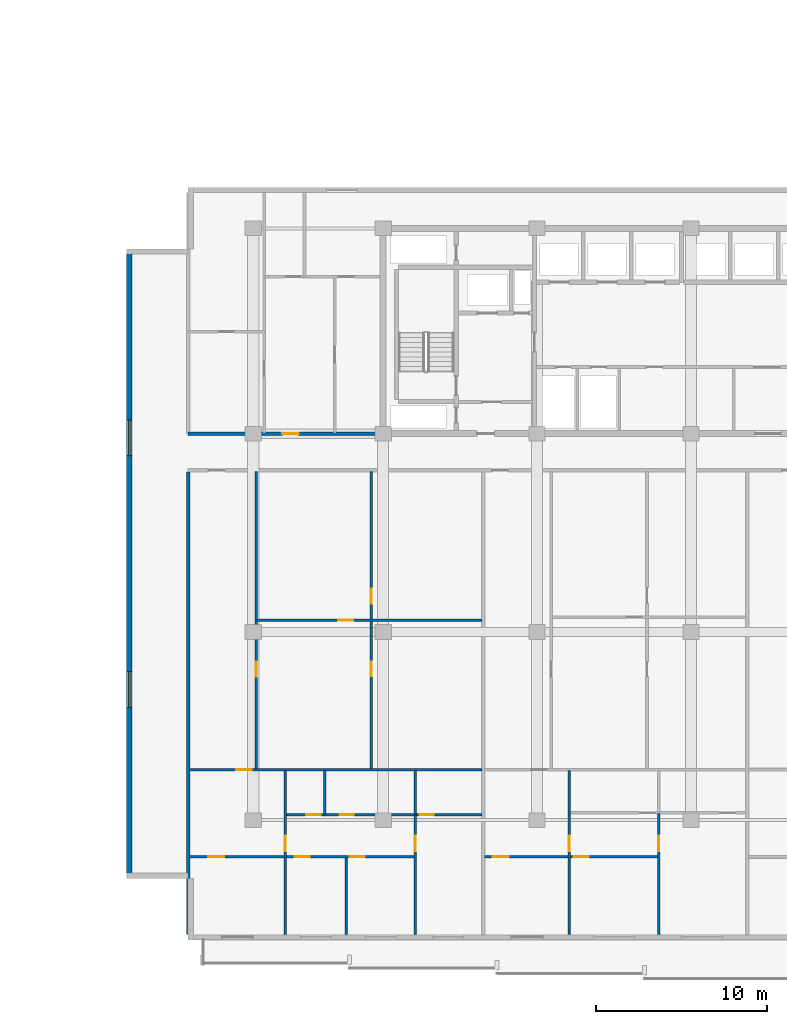
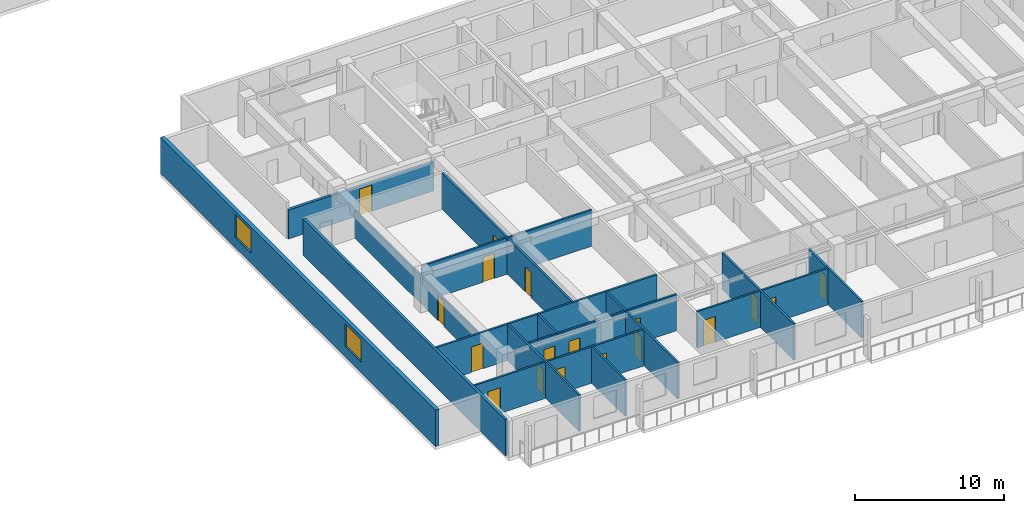
# One storey, part 4 of 24: 18 doors, 17 walls, 2 windows, 20 openings.
"""IFC4 building model written with IfcOpenShell, lengths in metres."""

from ifc_helpers import new_model, si_unit, direction, frame, frame_2d, origin, place, context, subcontext, project, spatial, rectangle, extrude, material, layer, layer_set, type_object, element, fill, save


model = new_model("IFC4")

# Units and contexts
model_context = context("Model", 3, precision=1e-05, world=origin(), true_north=direction((0.0, 1.0)))
body_context = subcontext(model_context, "Body", "Model", "MODEL_VIEW")
ifc_project = project(units=[si_unit("LENGTHUNIT", "METRE"), si_unit("AREAUNIT", "SQUARE_METRE"), si_unit("VOLUMEUNIT", "CUBIC_METRE"), si_unit("PLANEANGLEUNIT", "RADIAN"), si_unit("MASSUNIT", "GRAM", prefix="KILO")], contexts=[model_context])

# Site, building, storey
site_placement = place(None, origin())
site = spatial("IfcSite", under=ifc_project, at=site_placement, CompositionType="ELEMENT")
building_placement = place(site_placement, origin())
building = spatial("IfcBuilding", under=site, at=building_placement, Name="Korimba Cascade Residences", CompositionType="ELEMENT")
storey_placement = place(building_placement, frame((0.0, 0.0, 43.5)))
storey = spatial("IfcBuildingStorey", under=building, at=storey_placement, Name="L11", CompositionType="ELEMENT", Elevation=43.5)

# Wall, openings, windows
ifc_material_1 = material(Name="Precast concrete C40/50", Category="concrete")
ifc_layer_1 = layer(ifc_material_1, 0.300048828125)
ifc_layer_set_1 = layer_set([ifc_layer_1], Name="Precast concrete C40/50")
wall_type_1 = type_object("IfcWallType", Name="EW-STONE-300", PredefinedType="STANDARD", material=ifc_layer_set_1)
wall_1_placement = place(storey_placement, frame((67.25, 29.199951171875, 0.0), z_axis=(0.0, 0.0, 1.0), x_axis=(0.0, -1.0, 0.0)))
wall_1 = element("IfcWall", 1, at=wall_1_placement, inside=storey, type_object=wall_type_1, Name="L11 T2 Perimeter Stone Wall E09", PredefinedType="STANDARD", context=body_context, shape_type="SweptSolid", body=[
    extrude(rectangle(XDim=36.800048828125, YDim=0.300048828125, at=frame_2d((18.39990234375, 0.0))), origin(), (0.0, 0.0, 1.0), 2.969970703125),
])
opening_1_placement = place(wall_1_placement, frame((9.989990234375, 0.0, 0.85009765625)))
opening_1 = element("IfcOpeningElement", 2, at=opening_1_placement, cuts=wall_1, Name="Opening W-03", PredefinedType="OPENING", context=body_context, shape_type="SweptSolid", body=[
    extrude(rectangle(XDim=2.10009765625, YDim=1.85009765625, at=frame_2d((1.050048828125, 0.925048828125))), frame((0.0, 0.16015625, 0.0), z_axis=(0.0, -1.0, 0.0), x_axis=(1.0, 0.0, 0.0)), (0.0, 0.0, 1.0), 0.320068359375),
])
opening_2_placement = place(wall_1_placement, frame((24.7099609375, 0.0, 0.85009765625)))
opening_2 = element("IfcOpeningElement", 3, at=opening_2_placement, cuts=wall_1, Name="Opening W-03", PredefinedType="OPENING", context=body_context, shape_type="SweptSolid", body=[
    extrude(rectangle(XDim=2.10009765625, YDim=1.85009765625, at=frame_2d((1.050048828125, 0.925048828125))), frame((0.0, 0.16015625, 0.0), z_axis=(0.0, -1.0, 0.0), x_axis=(1.0, 0.0, 0.0)), (0.0, 0.0, 1.0), 0.320068359375),
])
ifc_material_2 = material(Name="Double-Glazed Aluminium Window", Category="aluminium")
window_type = type_object("IfcWindowType", Name="WIN-CRN-2100", PartitioningType="DOUBLE_PANEL_HORIZONTAL", PredefinedType="WINDOW", material=ifc_material_2)
window_1_placement = place(opening_1_placement, origin())
window_1 = element("IfcWindow", 4, at=window_1_placement, inside=storey, type_object=window_type, Name="L11 T2 End View Window 9.1", OverallHeight=1.85009765625, OverallWidth=2.10009765625, PartitioningType="DOUBLE_PANEL_HORIZONTAL", PredefinedType="WINDOW", context=body_context, shape_type="SweptSolid", body=[
    extrude(rectangle(XDim=2.10009765625, YDim=1.85009765625, at=frame_2d((1.050048828125, 0.925048828125))), frame((0.0, 0.030029296875, 0.0), z_axis=(0.0, -1.0, 0.0), x_axis=(1.0, 0.0, 0.0)), (0.0, 0.0, 1.0), 0.06005859375),
])
fill(opening_1, window_1)
window_2_placement = place(opening_2_placement, origin())
window_2 = element("IfcWindow", 5, at=window_2_placement, inside=storey, type_object=window_type, Name="L11 T2 End View Window 9.2", OverallHeight=1.85009765625, OverallWidth=2.10009765625, PartitioningType="DOUBLE_PANEL_HORIZONTAL", PredefinedType="WINDOW", context=body_context, shape_type="SweptSolid", body=[
    extrude(rectangle(XDim=2.10009765625, YDim=1.85009765625, at=frame_2d((1.050048828125, 0.925048828125))), frame((0.0, 0.030029296875, 0.0), z_axis=(0.0, -1.0, 0.0), x_axis=(1.0, 0.0, 0.0)), (0.0, 0.0, 1.0), 0.06005859375),
])
fill(opening_2, window_2)

# Wall, opening, door
ifc_layer_2 = layer(ifc_material_1, 0.199951171875)
ifc_layer_set_2 = layer_set([ifc_layer_2], Name="Precast concrete C40/50")
wall_type_2 = type_object("IfcWallType", Name="WAL-IT-200", PredefinedType="PARTITIONING", material=ifc_layer_set_2)
wall_2_placement = place(storey_placement, frame((70.699951171875, 18.39990234375, 0.0), z_axis=(0.0, 0.0, 1.0), x_axis=(1.0, 0.0, 0.0)))
wall_2 = element("IfcWall", 6, at=wall_2_placement, inside=storey, type_object=wall_type_2, Name="L11 Partition Wall WAL-L11-T2-FW-S", PredefinedType="PARTITIONING", context=body_context, shape_type="SweptSolid", body=[
    extrude(rectangle(XDim=11.25, YDim=0.199951171875, at=frame_2d((5.625, 0.0))), origin(), (0.0, 0.0, 1.0), 2.3701171875),
])
opening_3_placement = place(wall_2_placement, frame((5.50634765625, 0.0, 0.0)))
opening_3 = element("IfcOpeningElement", 7, at=opening_3_placement, cuts=wall_2, Name="Opening D-UN1", PredefinedType="OPENING", context=body_context, shape_type="SweptSolid", body=[
    extrude(rectangle(XDim=0.949951171875, YDim=2.14990234375, at=frame_2d((0.47509765625, 1.074951171875))), frame((0.0, 0.10986328125, 0.0), z_axis=(0.0, -1.0, 0.0), x_axis=(1.0, 0.0, 0.0)), (0.0, 0.0, 1.0), 0.219970703125),
])
ifc_material_3 = material(Name="Fire-Rated Hardwood Apartment Entrance Door", Category="wood")
door_type_1 = type_object("IfcDoorType", Name="DR-FD60-950", OperationType="NOTDEFINED", PredefinedType="DOOR", material=ifc_material_3)
door_1_placement = place(opening_3_placement, origin())
door_1 = element("IfcDoor", 8, at=door_1_placement, inside=storey, type_object=door_type_1, Name="L11-T2-FW Entrance Door", OperationType="SINGLE_SWING_LEFT", OverallHeight=2.14990234375, OverallWidth=0.949951171875, PredefinedType="DOOR", context=body_context, shape_type="SweptSolid", body=[
    extrude(rectangle(XDim=0.949951171875, YDim=2.14990234375, at=frame_2d((0.47509765625, 1.074951171875))), frame((0.0, 0.02490234375, 0.0), z_axis=(0.0, -1.0, 0.0), x_axis=(1.0, 0.0, 0.0)), (0.0, 0.0, 1.0), 0.050048828125),
])
fill(opening_3, door_1)

# Wall
wall_3_placement = place(storey_placement, frame((70.699951171875, -10.89990234375, 0.0), z_axis=(0.0, 0.0, 1.0), x_axis=(0.0, 1.0, 0.0)))
element("IfcWall", 9, at=wall_3_placement, inside=storey, type_object=wall_type_2, Name="L11 Partition Wall WAL-L11-T2-BNDWL", PredefinedType="PARTITIONING", context=body_context, shape_type="SweptSolid", body=[
    extrude(rectangle(XDim=27.06982421875, YDim=0.199951171875, at=frame_2d((13.534912109375, 0.0))), origin(), (0.0, 0.0, 1.0), 2.969970703125),
])

# Wall, openings, doors
ifc_material_4 = material(Name="Insulated Acoustic Stud Partition", Category="gypsum")
ifc_layer_3 = layer(ifc_material_4, 0.14990234375)
ifc_layer_set_3 = layer_set([ifc_layer_3], Name="Insulated Acoustic Stud Partition")
wall_type_3 = type_object("IfcWallType", Name="WAL-PART-150", PredefinedType="PARTITIONING", material=ifc_layer_set_3)
wall_4_placement = place(storey_placement, frame((81.4033203125, -1.2099609375, 0.0), z_axis=(0.0, 0.0, 1.0), x_axis=(0.0, 1.0, 0.0)))
wall_4 = element("IfcWall", 10, at=wall_4_placement, inside=storey, type_object=wall_type_3, Name="L11 Partition Wall WAL-L11-T2-U01-FMV", PredefinedType="PARTITIONING", context=body_context, shape_type="SweptSolid", body=[
    extrude(rectangle(XDim=17.39990234375, YDim=0.14990234375, at=frame_2d((8.699951171875, 0.0))), origin(), (0.0, 0.0, 1.0), 2.969970703125),
])
opening_4_placement = place(wall_4_placement, frame((5.431884765625, 0.0, 0.0)))
opening_4 = element("IfcOpeningElement", 11, at=opening_4_placement, cuts=wall_4, Name="Opening D-BT1", PredefinedType="OPENING", context=body_context, shape_type="SweptSolid", body=[
    extrude(rectangle(XDim=0.840087890625, YDim=2.0400390625, at=frame_2d((0.419921875, 1.02001953125))), frame((0.0, 0.0849609375, 0.0), z_axis=(0.0, -1.0, 0.0), x_axis=(1.0, 0.0, 0.0)), (0.0, 0.0, 1.0), 0.169921875),
])
opening_5_placement = place(wall_4_placement, frame((9.672119140625, 0.0, 0.0)))
opening_5 = element("IfcOpeningElement", 12, at=opening_5_placement, cuts=wall_4, Name="Opening D-IN2", PredefinedType="OPENING", context=body_context, shape_type="SweptSolid", body=[
    extrude(rectangle(XDim=0.8798828125, YDim=2.06005859375, at=frame_2d((0.43994140625, 1.030029296875))), frame((0.0, 0.0849609375, 0.0), z_axis=(0.0, -1.0, 0.0), x_axis=(1.0, 0.0, 0.0)), (0.0, 0.0, 1.0), 0.169921875),
])
ifc_material_5 = material(Name="Moisture-Resistant Bathroom Timber Door", Category="wood")
door_type_2 = type_object("IfcDoorType", Name="DR-INT-850", OperationType="NOTDEFINED", PredefinedType="DOOR", material=ifc_material_5)
door_2_placement = place(opening_4_placement, origin())
door_2 = element("IfcDoor", 13, at=door_2_placement, inside=storey, type_object=door_type_2, Name="L11-T2-U01 Wardrobe Door", OperationType="SINGLE_SWING_RIGHT", OverallHeight=2.0400390625, OverallWidth=0.840087890625, PredefinedType="DOOR", context=body_context, shape_type="SweptSolid", body=[
    extrude(rectangle(XDim=0.840087890625, YDim=2.0400390625, at=frame_2d((0.419921875, 1.02001953125))), frame((0.0, 0.02490234375, 0.0), z_axis=(0.0, -1.0, 0.0), x_axis=(1.0, 0.0, 0.0)), (0.0, 0.0, 1.0), 0.050048828125),
])
fill(opening_4, door_2)
ifc_material_6 = material(Name="Acoustic Timber Bedroom Door", Category="wood")
door_type_3 = type_object("IfcDoorType", Name="DR-INT-880", OperationType="NOTDEFINED", PredefinedType="DOOR", material=ifc_material_6)
door_3_placement = place(opening_5_placement, origin())
door_3 = element("IfcDoor", 14, at=door_3_placement, inside=storey, type_object=door_type_3, Name="L11-T2-U01 Music Lounge Door", OperationType="SINGLE_SWING_LEFT", OverallHeight=2.06005859375, OverallWidth=0.8798828125, PredefinedType="DOOR", context=body_context, shape_type="SweptSolid", body=[
    extrude(rectangle(XDim=0.8798828125, YDim=2.06005859375, at=frame_2d((0.43994140625, 1.030029296875))), frame((0.0, 0.02490234375, 0.0), z_axis=(0.0, -1.0, 0.0), x_axis=(1.0, 0.0, 0.0)), (0.0, 0.0, 1.0), 0.050048828125),
])
fill(opening_5, door_3)

# Wall, opening, door
wall_5_placement = place(storey_placement, frame((74.72998046875, 7.489990234375, 0.0), z_axis=(0.0, 0.0, 1.0), x_axis=(1.0, 0.0, 0.0)))
wall_5 = element("IfcWall", 15, at=wall_5_placement, inside=storey, type_object=wall_type_3, Name="L11 Partition Wall WAL-L11-T2-U01-FMH", PredefinedType="PARTITIONING", context=body_context, shape_type="SweptSolid", body=[
    extrude(rectangle(XDim=13.146728515625, YDim=0.14990234375, at=frame_2d((6.5732421875, 0.0))), origin(), (0.0, 0.0, 1.0), 2.969970703125),
])
opening_6_placement = place(wall_5_placement, frame((4.73779296875, 0.0, 0.0)))
opening_6 = element("IfcOpeningElement", 16, at=opening_6_placement, cuts=wall_5, Name="Opening D-IN2", PredefinedType="OPENING", context=body_context, shape_type="SweptSolid", body=[
    extrude(rectangle(XDim=0.8798828125, YDim=2.06005859375, at=frame_2d((0.43994140625, 1.030029296875))), frame((0.0, 0.0849609375, 0.0), z_axis=(0.0, -1.0, 0.0), x_axis=(1.0, 0.0, 0.0)), (0.0, 0.0, 1.0), 0.169921875),
])
door_4_placement = place(opening_6_placement, origin())
door_4 = element("IfcDoor", 17, at=door_4_placement, inside=storey, type_object=door_type_3, Name="L11-T2-U01 Library Salon Door", OperationType="SINGLE_SWING_RIGHT", OverallHeight=2.06005859375, OverallWidth=0.8798828125, PredefinedType="DOOR", context=body_context, shape_type="SweptSolid", body=[
    extrude(rectangle(XDim=0.8798828125, YDim=2.06005859375, at=frame_2d((0.43994140625, 1.030029296875))), frame((0.0, 0.02490234375, 0.0), z_axis=(0.0, -1.0, 0.0), x_axis=(1.0, 0.0, 0.0)), (0.0, 0.0, 1.0), 0.050048828125),
])
fill(opening_6, door_4)

wall_6_placement = place(storey_placement, frame((74.669921875, -1.2099609375, 0.0), z_axis=(0.0, 0.0, 1.0), x_axis=(0.0, 1.0, 0.0)))
wall_6 = element("IfcWall", 18, at=wall_6_placement, inside=storey, type_object=wall_type_3, Name="L11 Partition Wall WAL-L11-T2-U01-FV", PredefinedType="PARTITIONING", context=body_context, shape_type="SweptSolid", body=[
    extrude(rectangle(XDim=17.39990234375, YDim=0.14990234375, at=frame_2d((8.699951171875, 0.0))), origin(), (0.0, 0.0, 1.0), 2.219970703125),
])
opening_7_placement = place(wall_6_placement, frame((5.404052734375, 0.0, 0.0)))
opening_7 = element("IfcOpeningElement", 19, at=opening_7_placement, cuts=wall_6, Name="Opening D-IN2", PredefinedType="OPENING", context=body_context, shape_type="SweptSolid", body=[
    extrude(rectangle(XDim=0.8798828125, YDim=2.06005859375, at=frame_2d((0.43994140625, 1.030029296875))), frame((0.0, 0.0849609375, 0.0), z_axis=(0.0, -1.0, 0.0), x_axis=(1.0, 0.0, 0.0)), (0.0, 0.0, 1.0), 0.169921875),
])
door_5_placement = place(opening_7_placement, origin())
door_5 = element("IfcDoor", 20, at=door_5_placement, inside=storey, type_object=door_type_3, Name="L11-T2-U01 Media Lounge Door", OperationType="SINGLE_SWING_LEFT", OverallHeight=2.06005859375, OverallWidth=0.8798828125, PredefinedType="DOOR", context=body_context, shape_type="SweptSolid", body=[
    extrude(rectangle(XDim=0.8798828125, YDim=2.06005859375, at=frame_2d((0.43994140625, 1.030029296875))), frame((0.0, 0.02490234375, 0.0), z_axis=(0.0, -1.0, 0.0), x_axis=(1.0, 0.0, 0.0)), (0.0, 0.0, 1.0), 0.050048828125),
])
fill(opening_7, door_5)

# Walls
wall_7_placement = place(storey_placement, frame((78.68994140625, -3.8701171875, 0.0), z_axis=(0.0, 0.0, 1.0), x_axis=(0.0, 1.0, 0.0)))
element("IfcWall", 21, at=wall_7_placement, inside=storey, type_object=wall_type_3, Name="L11 Partition Wall WAL-L11-T2-U01-VDRS", PredefinedType="PARTITIONING", context=body_context, shape_type="SweptSolid", body=[
    extrude(rectangle(XDim=2.580078125, YDim=0.14990234375, at=frame_2d((1.2900390625, 0.0))), origin(), (0.0, 0.0, 1.0), 2.969970703125),
])
wall_8_placement = place(storey_placement, frame((79.929931640625, -10.89990234375, 0.0), z_axis=(0.0, 0.0, 1.0), x_axis=(0.0, 1.0, 0.0)))
element("IfcWall", 22, at=wall_8_placement, inside=storey, type_object=wall_type_3, Name="L11 Partition Wall WAL-L11-T2-U01-VSTD", PredefinedType="PARTITIONING", context=body_context, shape_type="SweptSolid", body=[
    extrude(rectangle(XDim=4.469970703125, YDim=0.14990234375, at=frame_2d((2.23486328125, 0.0))), origin(), (0.0, 0.0, 1.0), 2.969970703125),
])

# Wall, opening, door
wall_9_placement = place(storey_placement, frame((76.3798828125, -10.89990234375, 0.0), z_axis=(0.0, 0.0, 1.0), x_axis=(0.0, 1.0, 0.0)))
wall_9 = element("IfcWall", 23, at=wall_9_placement, inside=storey, type_object=wall_type_3, Name="L11 Partition Wall WAL-L11-T2-U01-V1", PredefinedType="PARTITIONING", context=body_context, shape_type="SweptSolid", body=[
    extrude(rectangle(XDim=9.60986328125, YDim=0.14990234375, at=frame_2d((4.804931640625, 0.0))), origin(), (0.0, 0.0, 1.0), 2.969970703125),
])
opening_8_placement = place(wall_9_placement, frame((4.8701171875, 0.0, 0.0)))
opening_8 = element("IfcOpeningElement", 24, at=opening_8_placement, cuts=wall_9, Name="Opening D-IN1", PredefinedType="OPENING", context=body_context, shape_type="SweptSolid", body=[
    extrude(rectangle(XDim=0.919921875, YDim=2.080078125, at=frame_2d((0.4599609375, 1.0400390625))), frame((0.0, 0.0849609375, 0.0), z_axis=(0.0, -1.0, 0.0), x_axis=(1.0, 0.0, 0.0)), (0.0, 0.0, 1.0), 0.169921875),
])
ifc_material_7 = material(Name="Acoustic Timber Living Door", Category="wood")
door_type_4 = type_object("IfcDoorType", Name="DR-INT-920", OperationType="NOTDEFINED", PredefinedType="DOOR", material=ifc_material_7)
door_6_placement = place(opening_8_placement, origin())
door_6 = element("IfcDoor", 25, at=door_6_placement, inside=storey, type_object=door_type_4, Name="L11-T2-U01 Hallway Door", OperationType="SINGLE_SWING_RIGHT", OverallHeight=2.080078125, OverallWidth=0.919921875, PredefinedType="DOOR", context=body_context, shape_type="SweptSolid", body=[
    extrude(rectangle(XDim=0.919921875, YDim=2.080078125, at=frame_2d((0.4599609375, 1.0400390625))), frame((0.0, 0.02490234375, 0.0), z_axis=(0.0, -1.0, 0.0), x_axis=(1.0, 0.0, 0.0)), (0.0, 0.0, 1.0), 0.050048828125),
])
fill(opening_8, door_6)

# Wall
wall_10_placement = place(storey_placement, frame((83.97998046875, -3.8701171875, 0.0), z_axis=(0.0, 0.0, 1.0), x_axis=(0.0, 1.0, 0.0)))
element("IfcWall", 26, at=wall_10_placement, inside=storey, type_object=wall_type_3, Name="L11 Partition Wall WAL-L11-T2-U01-VBATH", PredefinedType="PARTITIONING", context=body_context, shape_type="SweptSolid", body=[
    extrude(rectangle(XDim=2.580078125, YDim=0.14990234375, at=frame_2d((1.2900390625, 0.0))), origin(), (0.0, 0.0, 1.0), 2.969970703125),
])

# Wall, opening, door
wall_11_placement = place(storey_placement, frame((83.97998046875, -10.89990234375, 0.0), z_axis=(0.0, 0.0, 1.0), x_axis=(0.0, 1.0, 0.0)))
wall_11 = element("IfcWall", 27, at=wall_11_placement, inside=storey, type_object=wall_type_3, Name="L11 Partition Wall WAL-L11-T2-U01-V2FULL", PredefinedType="PARTITIONING", context=body_context, shape_type="SweptSolid", body=[
    extrude(rectangle(XDim=6.989990234375, YDim=0.14990234375, at=frame_2d((3.4951171875, 0.0))), origin(), (0.0, 0.0, 1.0), 2.969970703125),
])
opening_9_placement = place(wall_11_placement, frame((4.8701171875, 0.0, 0.0)))
opening_9 = element("IfcOpeningElement", 28, at=opening_9_placement, cuts=wall_11, Name="Opening D-IN1", PredefinedType="OPENING", context=body_context, shape_type="SweptSolid", body=[
    extrude(rectangle(XDim=0.919921875, YDim=2.080078125, at=frame_2d((0.4599609375, 1.0400390625))), frame((0.0, 0.0849609375, 0.0), z_axis=(0.0, -1.0, 0.0), x_axis=(1.0, 0.0, 0.0)), (0.0, 0.0, 1.0), 0.169921875),
])
door_7_placement = place(opening_9_placement, origin())
door_7 = element("IfcDoor", 29, at=door_7_placement, inside=storey, type_object=door_type_4, Name="L11-T2-U01 Master Bedroom Door", OperationType="SINGLE_SWING_LEFT", OverallHeight=2.080078125, OverallWidth=0.919921875, PredefinedType="DOOR", context=body_context, shape_type="SweptSolid", body=[
    extrude(rectangle(XDim=0.919921875, YDim=2.080078125, at=frame_2d((0.4599609375, 1.0400390625))), frame((0.0, 0.02490234375, 0.0), z_axis=(0.0, -1.0, 0.0), x_axis=(1.0, 0.0, 0.0)), (0.0, 0.0, 1.0), 0.050048828125),
])
fill(opening_9, door_7)

# Wall, openings, doors
wall_12_placement = place(storey_placement, frame((76.419921875, -3.889892578125, 0.0), z_axis=(0.0, 0.0, 1.0), x_axis=(1.0, 0.0, 0.0)))
wall_12 = element("IfcWall", 30, at=wall_12_placement, inside=storey, type_object=wall_type_3, Name="L11 Partition Wall WAL-L11-T2-U01-HWALL", PredefinedType="PARTITIONING", context=body_context, shape_type="SweptSolid", body=[
    extrude(rectangle(XDim=11.456787109375, YDim=0.14990234375, at=frame_2d((5.728515625, 0.0))), origin(), (0.0, 0.0, 1.0), 2.969970703125),
])
opening_10_placement = place(wall_12_placement, frame((1.19091796875, 0.0, 0.0)))
opening_10 = element("IfcOpeningElement", 31, at=opening_10_placement, cuts=wall_12, Name="Opening D-BT1", PredefinedType="OPENING", context=body_context, shape_type="SweptSolid", body=[
    extrude(rectangle(XDim=0.840087890625, YDim=2.0400390625, at=frame_2d((0.419921875, 1.02001953125))), frame((0.0, 0.0849609375, 0.0), z_axis=(0.0, -1.0, 0.0), x_axis=(1.0, 0.0, 0.0)), (0.0, 0.0, 1.0), 0.169921875),
])
opening_11_placement = place(wall_12_placement, frame((3.131591796875, 0.0, 0.0)))
opening_11 = element("IfcOpeningElement", 32, at=opening_11_placement, cuts=wall_12, Name="Opening D-BT1", PredefinedType="OPENING", context=body_context, shape_type="SweptSolid", body=[
    extrude(rectangle(XDim=0.840087890625, YDim=2.0400390625, at=frame_2d((0.419921875, 1.02001953125))), frame((0.0, 0.0849609375, 0.0), z_axis=(0.0, -1.0, 0.0), x_axis=(1.0, 0.0, 0.0)), (0.0, 0.0, 1.0), 0.169921875),
])
opening_12_placement = place(wall_12_placement, frame((7.81005859375, 0.0, 0.0)))
opening_12 = element("IfcOpeningElement", 33, at=opening_12_placement, cuts=wall_12, Name="Opening D-BT1", PredefinedType="OPENING", context=body_context, shape_type="SweptSolid", body=[
    extrude(rectangle(XDim=0.840087890625, YDim=2.0400390625, at=frame_2d((0.419921875, 1.02001953125))), frame((0.0, 0.0849609375, 0.0), z_axis=(0.0, -1.0, 0.0), x_axis=(1.0, 0.0, 0.0)), (0.0, 0.0, 1.0), 0.169921875),
])
door_8_placement = place(opening_10_placement, origin())
door_8 = element("IfcDoor", 34, at=door_8_placement, inside=storey, type_object=door_type_2, Name="L11-T2-U01 Family Bathroom Door", OperationType="SINGLE_SWING_RIGHT", OverallHeight=2.0400390625, OverallWidth=0.840087890625, PredefinedType="DOOR", context=body_context, shape_type="SweptSolid", body=[
    extrude(rectangle(XDim=0.840087890625, YDim=2.0400390625, at=frame_2d((0.419921875, 1.02001953125))), frame((0.0, 0.02490234375, 0.0), z_axis=(0.0, -1.0, 0.0), x_axis=(1.0, 0.0, 0.0)), (0.0, 0.0, 1.0), 0.050048828125),
])
fill(opening_10, door_8)
door_9_placement = place(opening_11_placement, origin())
door_9 = element("IfcDoor", 35, at=door_9_placement, inside=storey, type_object=door_type_2, Name="L11-T2-U01 Dressing Room Door", OperationType="SINGLE_SWING_LEFT", OverallHeight=2.0400390625, OverallWidth=0.840087890625, PredefinedType="DOOR", context=body_context, shape_type="SweptSolid", body=[
    extrude(rectangle(XDim=0.840087890625, YDim=2.0400390625, at=frame_2d((0.419921875, 1.02001953125))), frame((0.0, 0.02490234375, 0.0), z_axis=(0.0, -1.0, 0.0), x_axis=(1.0, 0.0, 0.0)), (0.0, 0.0, 1.0), 0.050048828125),
])
fill(opening_11, door_9)
door_10_placement = place(opening_12_placement, origin())
door_10 = element("IfcDoor", 36, at=door_10_placement, inside=storey, type_object=door_type_2, Name="L11-T2-U01 En-Suite Door", OperationType="SINGLE_SWING_RIGHT", OverallHeight=2.0400390625, OverallWidth=0.840087890625, PredefinedType="DOOR", context=body_context, shape_type="SweptSolid", body=[
    extrude(rectangle(XDim=0.840087890625, YDim=2.0400390625, at=frame_2d((0.419921875, 1.02001953125))), frame((0.0, 0.02490234375, 0.0), z_axis=(0.0, -1.0, 0.0), x_axis=(1.0, 0.0, 0.0)), (0.0, 0.0, 1.0), 0.050048828125),
])
fill(opening_12, door_10)

# Wall, opening, door
wall_13_placement = place(storey_placement, frame((70.780029296875, -1.25, 0.0), z_axis=(0.0, 0.0, 1.0), x_axis=(1.0, 0.0, 0.0)))
wall_13 = element("IfcWall", 37, at=wall_13_placement, inside=storey, type_object=wall_type_3, Name="L11 Partition Wall WAL-L11-T2-U01-MW", PredefinedType="PARTITIONING", context=body_context, shape_type="SweptSolid", body=[
    extrude(rectangle(XDim=17.0966796875, YDim=0.14990234375, at=frame_2d((8.54833984375, 0.0))), origin(), (0.0, 0.0, 1.0), 2.969970703125),
])
opening_13_placement = place(wall_13_placement, frame((2.719970703125, 0.0, 0.0)))
opening_13 = element("IfcOpeningElement", 38, at=opening_13_placement, cuts=wall_13, Name="Opening D-IN1", PredefinedType="OPENING", context=body_context, shape_type="SweptSolid", body=[
    extrude(rectangle(XDim=0.919921875, YDim=2.080078125, at=frame_2d((0.4599609375, 1.0400390625))), frame((0.0, 0.0849609375, 0.0), z_axis=(0.0, -1.0, 0.0), x_axis=(1.0, 0.0, 0.0)), (0.0, 0.0, 1.0), 0.169921875),
])
door_11_placement = place(opening_13_placement, origin())
door_11 = element("IfcDoor", 39, at=door_11_placement, inside=storey, type_object=door_type_4, Name="L11-T2-U01 Kitchen Door", OperationType="SINGLE_SWING_LEFT", OverallHeight=2.080078125, OverallWidth=0.919921875, PredefinedType="DOOR", context=body_context, shape_type="SweptSolid", body=[
    extrude(rectangle(XDim=0.919921875, YDim=2.080078125, at=frame_2d((0.4599609375, 1.0400390625))), frame((0.0, 0.02490234375, 0.0), z_axis=(0.0, -1.0, 0.0), x_axis=(1.0, 0.0, 0.0)), (0.0, 0.0, 1.0), 0.050048828125),
])
fill(opening_13, door_11)

# Wall, openings, doors
wall_14_placement = place(storey_placement, frame((70.780029296875, -6.35009765625, 0.0), z_axis=(0.0, 0.0, 1.0), x_axis=(1.0, 0.0, 0.0)))
wall_14 = element("IfcWall", 40, at=wall_14_placement, inside=storey, type_object=wall_type_3, Name="L11 Partition Wall WAL-L11-T2-U01-HZ", PredefinedType="PARTITIONING", context=body_context, shape_type="SweptSolid", body=[
    extrude(rectangle(XDim=13.199951171875, YDim=0.14990234375, at=frame_2d((6.60009765625, 0.0))), origin(), (0.0, 0.0, 1.0), 2.969970703125),
])
opening_14_placement = place(wall_14_placement, frame((1.08203125, 0.0, 0.0)))
opening_14 = element("IfcOpeningElement", 41, at=opening_14_placement, cuts=wall_14, Name="Opening D-IN0", PredefinedType="OPENING", context=body_context, shape_type="SweptSolid", body=[
    extrude(rectangle(XDim=0.93994140625, YDim=2.10009765625, at=frame_2d((0.469970703125, 1.050048828125))), frame((0.0, 0.0849609375, 0.0), z_axis=(0.0, -1.0, 0.0), x_axis=(1.0, 0.0, 0.0)), (0.0, 0.0, 1.0), 0.169921875),
])
opening_15_placement = place(wall_14_placement, frame((6.159912109375, 0.0, 0.0)))
opening_15 = element("IfcOpeningElement", 42, at=opening_15_placement, cuts=wall_14, Name="Opening D-IN2", PredefinedType="OPENING", context=body_context, shape_type="SweptSolid", body=[
    extrude(rectangle(XDim=0.8798828125, YDim=2.06005859375, at=frame_2d((0.43994140625, 1.030029296875))), frame((0.0, 0.0849609375, 0.0), z_axis=(0.0, -1.0, 0.0), x_axis=(1.0, 0.0, 0.0)), (0.0, 0.0, 1.0), 0.169921875),
])
opening_16_placement = place(wall_14_placement, frame((9.3701171875, 0.0, 0.0)))
opening_16 = element("IfcOpeningElement", 43, at=opening_16_placement, cuts=wall_14, Name="Opening D-IN2", PredefinedType="OPENING", context=body_context, shape_type="SweptSolid", body=[
    extrude(rectangle(XDim=0.8798828125, YDim=2.06005859375, at=frame_2d((0.43994140625, 1.030029296875))), frame((0.0, 0.0849609375, 0.0), z_axis=(0.0, -1.0, 0.0), x_axis=(1.0, 0.0, 0.0)), (0.0, 0.0, 1.0), 0.169921875),
])
door_12_placement = place(opening_15_placement, origin())
door_12 = element("IfcDoor", 44, at=door_12_placement, inside=storey, type_object=door_type_3, Name="L11-T2-U01 Bedroom 2 Door", OperationType="SINGLE_SWING_LEFT", OverallHeight=2.06005859375, OverallWidth=0.8798828125, PredefinedType="DOOR", context=body_context, shape_type="SweptSolid", body=[
    extrude(rectangle(XDim=0.8798828125, YDim=2.06005859375, at=frame_2d((0.43994140625, 1.030029296875))), frame((0.0, 0.02490234375, 0.0), z_axis=(0.0, -1.0, 0.0), x_axis=(1.0, 0.0, 0.0)), (0.0, 0.0, 1.0), 0.050048828125),
])
fill(opening_15, door_12)
door_13_placement = place(opening_16_placement, origin())
door_13 = element("IfcDoor", 45, at=door_13_placement, inside=storey, type_object=door_type_3, Name="L11-T2-U01 Study Door", OperationType="SINGLE_SWING_RIGHT", OverallHeight=2.06005859375, OverallWidth=0.8798828125, PredefinedType="DOOR", context=body_context, shape_type="SweptSolid", body=[
    extrude(rectangle(XDim=0.8798828125, YDim=2.06005859375, at=frame_2d((0.43994140625, 1.030029296875))), frame((0.0, 0.02490234375, 0.0), z_axis=(0.0, -1.0, 0.0), x_axis=(1.0, 0.0, 0.0)), (0.0, 0.0, 1.0), 0.050048828125),
])
fill(opening_16, door_13)
ifc_material_8 = material(Name="Acoustic Timber Living Archway Door", Category="wood")
door_type_5 = type_object("IfcDoorType", Name="DR-INT-950", OperationType="NOTDEFINED", PredefinedType="DOOR", material=ifc_material_8)
door_14_placement = place(opening_14_placement, origin())
door_14 = element("IfcDoor", 46, at=door_14_placement, inside=storey, type_object=door_type_5, Name="L11-T2-U01 Living Room Door", OperationType="SINGLE_SWING_RIGHT", OverallHeight=2.10009765625, OverallWidth=0.93994140625, PredefinedType="DOOR", context=body_context, shape_type="SweptSolid", body=[
    extrude(rectangle(XDim=0.93994140625, YDim=2.10009765625, at=frame_2d((0.469970703125, 1.050048828125))), frame((0.0, 0.02490234375, 0.0), z_axis=(0.0, -1.0, 0.0), x_axis=(1.0, 0.0, 0.0)), (0.0, 0.0, 1.0), 0.050048828125),
])
fill(opening_14, door_14)

# Wall, opening, door
wall_15_placement = place(storey_placement, frame((92.97998046875, -10.89990234375, 0.0), z_axis=(0.0, 0.0, 1.0), x_axis=(0.0, 1.0, 0.0)))
wall_15 = element("IfcWall", 47, at=wall_15_placement, inside=storey, type_object=wall_type_3, Name="L11 Partition Wall WAL-L11-T2-U02-V1", PredefinedType="PARTITIONING", context=body_context, shape_type="SweptSolid", body=[
    extrude(rectangle(XDim=9.60986328125, YDim=0.14990234375, at=frame_2d((4.804931640625, 0.0))), origin(), (0.0, 0.0, 1.0), 2.969970703125),
])
opening_17_placement = place(wall_15_placement, frame((4.8701171875, 0.0, 0.0)))
opening_17 = element("IfcOpeningElement", 48, at=opening_17_placement, cuts=wall_15, Name="Opening D-IN1", PredefinedType="OPENING", context=body_context, shape_type="SweptSolid", body=[
    extrude(rectangle(XDim=0.919921875, YDim=2.080078125, at=frame_2d((0.4599609375, 1.0400390625))), frame((0.0, 0.0849609375, 0.0), z_axis=(0.0, -1.0, 0.0), x_axis=(1.0, 0.0, 0.0)), (0.0, 0.0, 1.0), 0.169921875),
])
door_15_placement = place(opening_17_placement, origin())
door_15 = element("IfcDoor", 49, at=door_15_placement, inside=storey, type_object=door_type_4, Name="L11-T2-U02 Hallway Door", OperationType="SINGLE_SWING_LEFT", OverallHeight=2.080078125, OverallWidth=0.919921875, PredefinedType="DOOR", context=body_context, shape_type="SweptSolid", body=[
    extrude(rectangle(XDim=0.919921875, YDim=2.080078125, at=frame_2d((0.4599609375, 1.0400390625))), frame((0.0, 0.02490234375, 0.0), z_axis=(0.0, -1.0, 0.0), x_axis=(1.0, 0.0, 0.0)), (0.0, 0.0, 1.0), 0.050048828125),
])
fill(opening_17, door_15)

wall_16_placement = place(storey_placement, frame((98.219970703125, -10.89990234375, 0.0), z_axis=(0.0, 0.0, 1.0), x_axis=(0.0, 1.0, 0.0)))
wall_16 = element("IfcWall", 50, at=wall_16_placement, inside=storey, type_object=wall_type_3, Name="L11 Partition Wall WAL-L11-T2-U02-V2FULL", PredefinedType="PARTITIONING", context=body_context, shape_type="SweptSolid", body=[
    extrude(rectangle(XDim=7.099853515625, YDim=0.14990234375, at=frame_2d((3.5498046875, 0.0))), origin(), (0.0, 0.0, 1.0), 2.969970703125),
])
opening_18_placement = place(wall_16_placement, frame((4.8701171875, 0.0, 0.0)))
opening_18 = element("IfcOpeningElement", 51, at=opening_18_placement, cuts=wall_16, Name="Opening D-IN1", PredefinedType="OPENING", context=body_context, shape_type="SweptSolid", body=[
    extrude(rectangle(XDim=0.919921875, YDim=2.080078125, at=frame_2d((0.4599609375, 1.0400390625))), frame((0.0, 0.0849609375, 0.0), z_axis=(0.0, -1.0, 0.0), x_axis=(1.0, 0.0, 0.0)), (0.0, 0.0, 1.0), 0.169921875),
])
door_16_placement = place(opening_18_placement, origin())
door_16 = element("IfcDoor", 52, at=door_16_placement, inside=storey, type_object=door_type_4, Name="L11-T2-U02 Master Bedroom Door", OperationType="SINGLE_SWING_RIGHT", OverallHeight=2.080078125, OverallWidth=0.919921875, PredefinedType="DOOR", context=body_context, shape_type="SweptSolid", body=[
    extrude(rectangle(XDim=0.919921875, YDim=2.080078125, at=frame_2d((0.4599609375, 1.0400390625))), frame((0.0, 0.02490234375, 0.0), z_axis=(0.0, -1.0, 0.0), x_axis=(1.0, 0.0, 0.0)), (0.0, 0.0, 1.0), 0.050048828125),
])
fill(opening_18, door_16)

# Wall, openings, doors
wall_17_placement = place(storey_placement, frame((88.03662109375, -6.35009765625, 0.0), z_axis=(0.0, 0.0, 1.0), x_axis=(1.0, 0.0, 0.0)))
wall_17 = element("IfcWall", 53, at=wall_17_placement, inside=storey, type_object=wall_type_3, Name="L11 Partition Wall WAL-L11-T2-U02-HZ", PredefinedType="PARTITIONING", context=body_context, shape_type="SweptSolid", body=[
    extrude(rectangle(XDim=10.183349609375, YDim=0.14990234375, at=frame_2d((5.091796875, 0.0))), origin(), (0.0, 0.0, 1.0), 2.969970703125),
])
opening_19_placement = place(wall_17_placement, frame((0.460205078125, 0.0, 0.0)))
opening_19 = element("IfcOpeningElement", 54, at=opening_19_placement, cuts=wall_17, Name="Opening D-IN0", PredefinedType="OPENING", context=body_context, shape_type="SweptSolid", body=[
    extrude(rectangle(XDim=0.93994140625, YDim=2.10009765625, at=frame_2d((0.469970703125, 1.050048828125))), frame((0.0, 0.0849609375, 0.0), z_axis=(0.0, -1.0, 0.0), x_axis=(1.0, 0.0, 0.0)), (0.0, 0.0, 1.0), 0.169921875),
])
opening_20_placement = place(wall_17_placement, frame((5.193359375, 0.0, 0.0)))
opening_20 = element("IfcOpeningElement", 55, at=opening_20_placement, cuts=wall_17, Name="Opening D-IN2", PredefinedType="OPENING", context=body_context, shape_type="SweptSolid", body=[
    extrude(rectangle(XDim=0.8798828125, YDim=2.06005859375, at=frame_2d((0.43994140625, 1.030029296875))), frame((0.0, 0.0849609375, 0.0), z_axis=(0.0, -1.0, 0.0), x_axis=(1.0, 0.0, 0.0)), (0.0, 0.0, 1.0), 0.169921875),
])
door_17_placement = place(opening_20_placement, origin())
door_17 = element("IfcDoor", 56, at=door_17_placement, inside=storey, type_object=door_type_3, Name="L11-T2-U02 Bedroom 2 Door", OperationType="SINGLE_SWING_LEFT", OverallHeight=2.06005859375, OverallWidth=0.8798828125, PredefinedType="DOOR", context=body_context, shape_type="SweptSolid", body=[
    extrude(rectangle(XDim=0.8798828125, YDim=2.06005859375, at=frame_2d((0.43994140625, 1.030029296875))), frame((0.0, 0.02490234375, 0.0), z_axis=(0.0, -1.0, 0.0), x_axis=(1.0, 0.0, 0.0)), (0.0, 0.0, 1.0), 0.050048828125),
])
fill(opening_20, door_17)
door_18_placement = place(opening_19_placement, origin())
door_18 = element("IfcDoor", 57, at=door_18_placement, inside=storey, type_object=door_type_5, Name="L11-T2-U02 Living Room Door", OperationType="SINGLE_SWING_RIGHT", OverallHeight=2.10009765625, OverallWidth=0.93994140625, PredefinedType="DOOR", context=body_context, shape_type="SweptSolid", body=[
    extrude(rectangle(XDim=0.93994140625, YDim=2.10009765625, at=frame_2d((0.469970703125, 1.050048828125))), frame((0.0, 0.02490234375, 0.0), z_axis=(0.0, -1.0, 0.0), x_axis=(1.0, 0.0, 0.0)), (0.0, 0.0, 1.0), 0.050048828125),
])
fill(opening_19, door_18)

save(model, "model.ifc")
